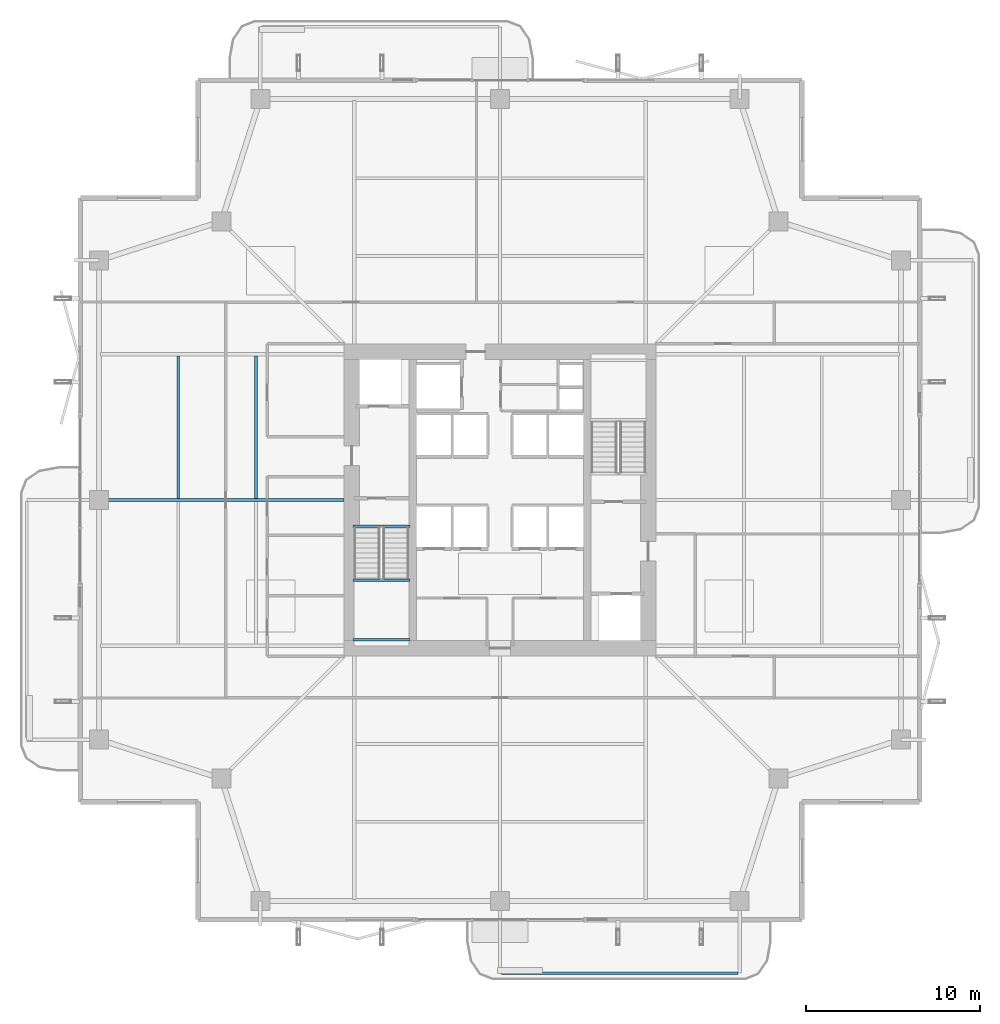
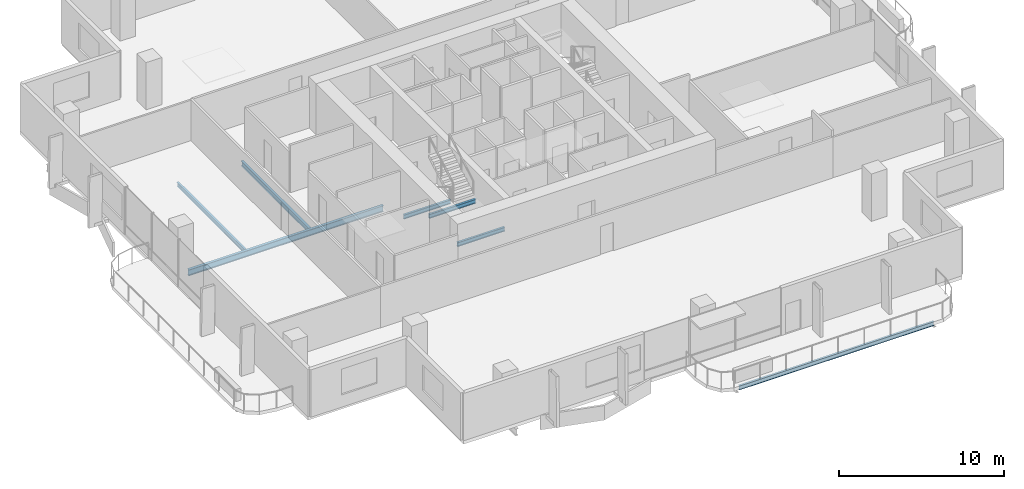
# One storey, part 7 of 25: 7 beams.
"""IFC4 building model written with IfcOpenShell, lengths in metres."""

from ifc_helpers import new_model, si_unit, direction, frame, origin, origin_2d, place, context, subcontext, project, spatial, i_section, extrude, material, material_profile, profile_set, type_object, element, save


model = new_model("IFC4")

# Units and contexts
model_context = context("Model", 3, precision=1e-05, world=origin(), true_north=direction((0.0, 1.0)))
body_context = subcontext(model_context, "Body", "Model", "MODEL_VIEW")
ifc_project = project(units=[si_unit("LENGTHUNIT", "METRE"), si_unit("AREAUNIT", "SQUARE_METRE"), si_unit("VOLUMEUNIT", "CUBIC_METRE"), si_unit("PLANEANGLEUNIT", "RADIAN"), si_unit("MASSUNIT", "GRAM", prefix="KILO")], contexts=[model_context])

# Site, building, storey
site_placement = place(None, origin())
site = spatial("IfcSite", under=ifc_project, at=site_placement, CompositionType="ELEMENT")
building_placement = place(site_placement, origin())
building = spatial("IfcBuilding", under=site, at=building_placement, Name="Belovzor Exchange Tower", CompositionType="ELEMENT")
storey_placement = place(building_placement, frame((0.0, 0.0, 175.800048828125)))
storey = spatial("IfcBuildingStorey", under=building, at=storey_placement, Name="L43", CompositionType="ELEMENT", Elevation=175.800048828125)

# Beams
ifc_material_1 = material(Name="Steel S355", Category="steel")
ifc_material_profile_1 = material_profile(ifc_material_1, i_section(OverallWidth=0.14990234375, OverallDepth=0.300048828125, WebThickness=0.007080078125, FlangeThickness=0.0107421875, at=origin_2d()))
ifc_profile_set_1 = profile_set([ifc_material_profile_1], Name="Steel S355")
beam_type_1 = type_object("IfcBeamType", Name="Planted Balcony Fascia Edge Beam IPE 300", PredefinedType="BEAM", material=ifc_profile_set_1)
beam_1_placement = place(storey_placement, frame((28.89990234375, 1.547119140625, -0.405029296875), z_axis=(1.0, 0.0, 0.0), x_axis=(0.0, 1.0, 0.0)))
element("IfcBeam", 1, at=beam_1_placement, inside=storey, type_object=beam_type_1, Name="BC-300 Planted Balcony Fascia Edge Beam IPE 300", PredefinedType="BEAM", context=body_context, shape_type="SweptSolid", body=[
    extrude(i_section(OverallWidth=0.14990234375, OverallDepth=0.300048828125, WebThickness=0.007080078125, FlangeThickness=0.0107421875, at=origin_2d()), origin(), (0.0, 0.0, 1.0), 13.60009765625),
])
ifc_material_2 = material(Name="Steel S355", Category="steel")
ifc_material_profile_2 = material_profile(ifc_material_2, i_section(OverallWidth=0.169921875, OverallDepth=0.360107421875, WebThickness=0.008056640625, FlangeThickness=0.0126953125, at=origin_2d()))
ifc_profile_set_2 = profile_set([ifc_material_profile_2], Name="Steel S355")
beam_type_2 = type_object("IfcBeamType", Name="Secondary Infill Floor Joist IPE 360", PredefinedType="BEAM", material=ifc_profile_set_2)
beam_2_placement = place(storey_placement, frame((14.7509765625, 28.89501953125, -0.43505859375), z_axis=(0.0, 1.0, 0.0), x_axis=(-1.0, 0.0, 0.0)))
element("IfcBeam", 2, at=beam_2_placement, inside=storey, type_object=beam_type_2, Name="FJ-360 Secondary Infill Floor Joist IPE 360", PredefinedType="BEAM", context=body_context, shape_type="SweptSolid", body=[
    extrude(i_section(OverallWidth=0.169921875, OverallDepth=0.360107421875, WebThickness=0.008056640625, FlangeThickness=0.0126953125, at=origin_2d()), origin(), (0.0, 0.0, 1.0), 8.2099609375),
])
ifc_material_3 = material(Name="Steel S355", Category="steel")
ifc_material_profile_3 = material_profile(ifc_material_3, i_section(OverallWidth=0.14990234375, OverallDepth=0.300048828125, WebThickness=0.007080078125, FlangeThickness=0.0107421875, at=origin_2d()))
ifc_profile_set_3 = profile_set([ifc_material_profile_3], Name="Steel S355")
beam_type_3 = type_object("IfcBeamType", Name="Secondary Trim Floor Joist IPE 300", PredefinedType="BEAM", material=ifc_profile_set_3)
for number, where, z_axis, x_axis, name in (
    (3, (20.320068359375, 24.179931640625, 1.52490234375), (1.0, 0.0, 0.0), (0.0, 1.0, 0.0), "FJ-300 Secondary Trim Floor Joist IPE 300"),
    (4, (20.320068359375, 20.75, 1.52490234375), (1.0, 0.0, 0.0), (0.0, 1.0, 0.0), "FJ-300 Secondary Trim Floor Joist IPE 300"),
):
    element("IfcBeam", number, at=place(storey_placement, frame(where, z_axis=z_axis, x_axis=x_axis)), inside=storey, type_object=beam_type_3, Name=name, PredefinedType="BEAM", context=body_context, shape_type="SweptSolid", body=[
        extrude(i_section(OverallWidth=0.14990234375, OverallDepth=0.300048828125, WebThickness=0.007080078125, FlangeThickness=0.0107421875, at=origin_2d()), origin(), (0.0, 0.0, 1.0), 3.309814453125),
    ])
beam_3_placement = place(storey_placement, frame((20.340087890625, 27.280029296875, -0.405029296875), z_axis=(1.0, 0.0, 0.0), x_axis=(0.0, 1.0, 0.0)))
element("IfcBeam", 5, at=beam_3_placement, inside=storey, type_object=beam_type_3, Name="FJ-300 Secondary Trim Floor Joist IPE 300", PredefinedType="BEAM", context=body_context, shape_type="SweptSolid", body=[
    extrude(i_section(OverallWidth=0.14990234375, OverallDepth=0.300048828125, WebThickness=0.007080078125, FlangeThickness=0.0107421875, at=origin_2d()), origin(), (0.0, 0.0, 1.0), 3.27001953125),
])
beam_4_placement = place(storey_placement, frame((10.262939453125, 28.89501953125, -0.405029296875), z_axis=(0.0, 1.0, 0.0), x_axis=(-1.0, 0.0, 0.0)))
element("IfcBeam", 6, at=beam_4_placement, inside=storey, type_object=beam_type_3, Name="FJ-300 Secondary Trim Floor Joist IPE 300", PredefinedType="BEAM", context=body_context, shape_type="SweptSolid", body=[
    extrude(i_section(OverallWidth=0.14990234375, OverallDepth=0.300048828125, WebThickness=0.007080078125, FlangeThickness=0.0107421875, at=origin_2d()), origin(), (0.0, 0.0, 1.0), 8.2099609375),
])
ifc_material_4 = material(Name="Steel S355", Category="steel")
ifc_material_profile_4 = material_profile(ifc_material_4, i_section(OverallWidth=0.18994140625, OverallDepth=0.449951171875, WebThickness=0.009521484375, FlangeThickness=0.0146484375, at=origin_2d()))
ifc_profile_set_4 = profile_set([ifc_material_profile_4], Name="Steel S355")
beam_type_4 = type_object("IfcBeamType", Name="Zone 2-4 Radial Composite Floor Beam IPE 450", PredefinedType="BEAM", material=ifc_profile_set_4)
beam_5_placement = place(storey_placement, frame((19.800048828125, 28.800048828125, -0.47998046875), z_axis=(-1.0, 0.0, 0.0), x_axis=(0.0, -1.0, 0.0)))
element("IfcBeam", 7, at=beam_5_placement, inside=storey, type_object=beam_type_4, Name="FB-450 Zone 2-4 Radial Composite Floor Beam IPE 450", PredefinedType="BEAM", context=body_context, shape_type="SweptSolid", body=[
    extrude(i_section(OverallWidth=0.18994140625, OverallDepth=0.449951171875, WebThickness=0.009521484375, FlangeThickness=0.0146484375, at=origin_2d()), origin(), (0.0, 0.0, 1.0), 13.615966796875),
])

save(model, "model.ifc")
